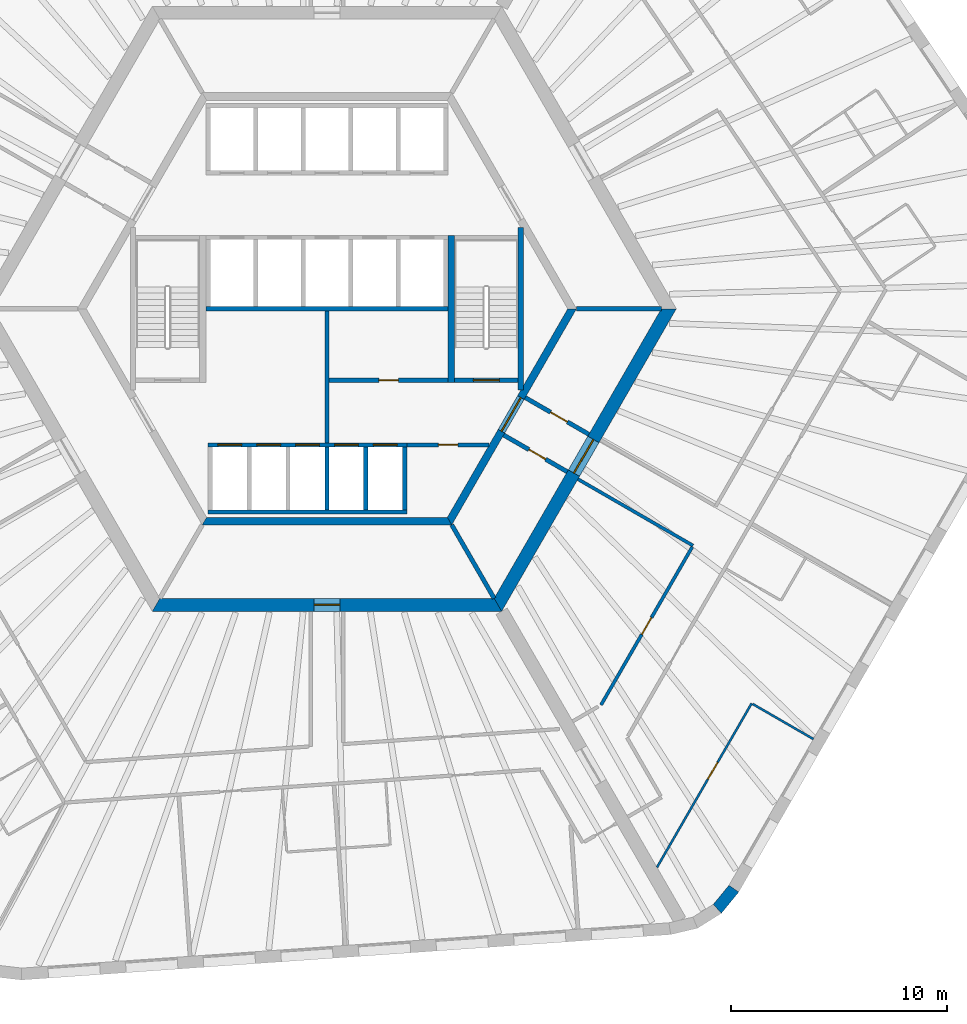
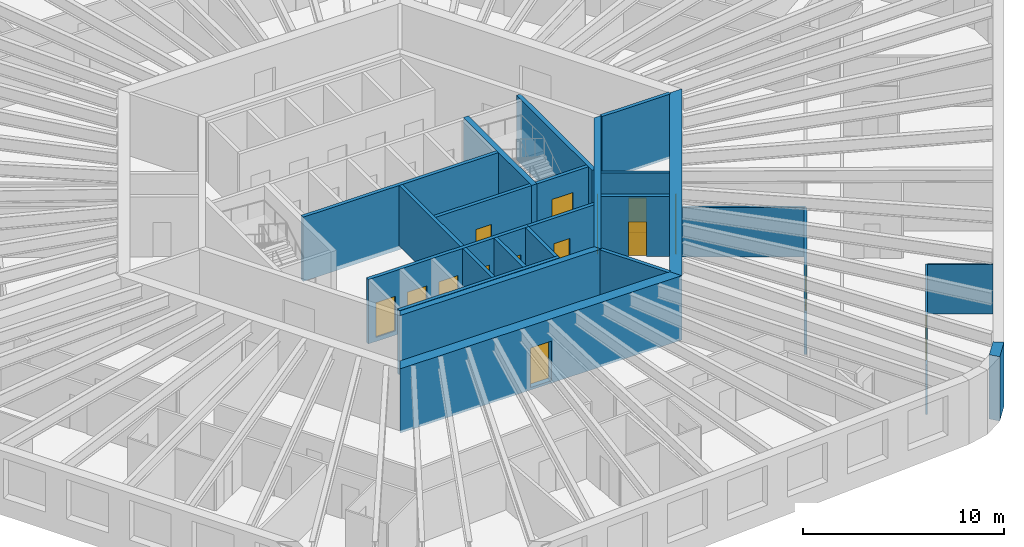
# One storey, part 5 of 12: 25 walls, 15 doors, 15 openings.
"""IFC4 building model written with IfcOpenShell, lengths in metres."""

import ifcopenshell
import ifcopenshell.guid

model = None  # the IFC model being written
_history = None  # IfcOwnerHistory: only IFC2X3 demands one
_inside = {}  # id of a spatial element -> (the spatial element, [elements in it])
_under = {}  # id of a project, library or spatial element -> (it, [spatial elements below it])
_declared = {}  # id of a project -> (the project, [libraries it declares])
_typed = {}  # id of a type object -> (the type object, [elements of that type])
_made_of = {}  # id of a material, layer set ... -> (it, [elements and type objects made of it])


def new_model(schema):
    """Start an empty IFC model of exactly this schema.

    Asked for "IFC4X3", IfcOpenShell would pick the latest addendum, in which some entities
    have other attributes; the version numbers below select the first issue.
    IFC2X3 requires an IfcOwnerHistory on every rooted entity: one is made here for all.
    """
    global model, _history
    if schema == "IFC4X3":
        model = ifcopenshell.file(schema_version=(4, 3, 0, 0))
    else:
        model = ifcopenshell.file(schema=schema)
    _inside.clear()
    _under.clear()
    _declared.clear()
    _typed.clear()
    _made_of.clear()
    _history = None
    if model.schema == "IFC2X3":
        org = make("IfcOrganization", Name="unknown")
        user = make(
            "IfcPersonAndOrganization",
            ThePerson=make("IfcPerson", FamilyName="unknown"),
            TheOrganization=org,
        )
        app = make(
            "IfcApplication",
            ApplicationDeveloper=org,
            Version="unknown",
            ApplicationFullName="unknown",
            ApplicationIdentifier="unknown",
        )
        _history = make(
            "IfcOwnerHistory",
            OwningUser=user,
            OwningApplication=app,
            ChangeAction="ADDED",
            CreationDate=0,
        )
    return model


def make(cls, **values):
    """One entity of the class cls with the attributes given. An attribute that is None is left unset."""
    return model.create_entity(
        cls, **{name: value for name, value in values.items() if value is not None}
    )


def rooted(cls, **values):
    """An entity with a GlobalId (a new one), such as an element, a storey or a relation."""
    return make(cls, GlobalId=ifcopenshell.guid.new(), OwnerHistory=_history, **values)


def si_unit(unit_type, name, prefix=None):
    """IfcSIUnit, for example si_unit("LENGTHUNIT", "METRE", prefix="MILLI")."""
    return make("IfcSIUnit", UnitType=unit_type, Prefix=prefix, Name=name)


def assignment(units):
    """IfcUnitAssignment: the units of a project."""
    return None if units is None else make("IfcUnitAssignment", Units=units)


def point(xyz):
    """IfcCartesianPoint."""
    return None if xyz is None else make("IfcCartesianPoint", Coordinates=xyz)


def direction(xyz):
    """IfcDirection."""
    return None if xyz is None else make("IfcDirection", DirectionRatios=xyz)


def frame(location, z_axis=None, x_axis=None):
    """IfcAxis2Placement3D, a coordinate frame: its origin and axes. An axis left out is left unset."""
    return make(
        "IfcAxis2Placement3D",
        Location=point(location),
        Axis=direction(z_axis),
        RefDirection=direction(x_axis),
    )


def frame_2d(location, x_axis=None):
    """IfcAxis2Placement2D, a coordinate frame in the plane: its origin and x axis."""
    return make(
        "IfcAxis2Placement2D", Location=point(location), RefDirection=direction(x_axis)
    )


def origin():
    """The frame at (0, 0, 0) with its axes left unset."""
    return frame((0.0, 0.0, 0.0))


def place(relative_to, where):
    """IfcLocalPlacement: puts the frame where relative to a parent placement (None: the world)."""
    return make(
        "IfcLocalPlacement", PlacementRelTo=relative_to, RelativePlacement=where
    )


def context(
    kind, dimensions, precision=None, world=None, true_north=None, identifier=None
):
    """IfcGeometricRepresentationContext, for example the 3D "Model" context."""
    return make(
        "IfcGeometricRepresentationContext",
        ContextIdentifier=identifier,
        ContextType=kind,
        CoordinateSpaceDimension=dimensions,
        Precision=precision,
        WorldCoordinateSystem=world,
        TrueNorth=true_north,
    )


def subcontext(parent, identifier, kind, view, scale=None):
    """IfcGeometricRepresentationSubContext, for example "Body" below "Model"."""
    return make(
        "IfcGeometricRepresentationSubContext",
        ContextIdentifier=identifier,
        ContextType=kind,
        ParentContext=parent,
        TargetScale=scale,
        TargetView=view,
    )


def project(units=None, contexts=None):
    """IfcProject with its units and contexts."""
    return rooted(
        "IfcProject",
        Name="project",
        RepresentationContexts=contexts,
        UnitsInContext=assignment(units),
    )


def spatial(cls, under=None, at=None, **own):
    """A site, building, storey or space (cls), placed at a placement, below another one or the project."""
    s = rooted(cls, ObjectPlacement=at, **own)
    if under is not None:
        _under.setdefault(under.id(), (under, []))[1].append(s)
    return s


def polyline(points):
    """IfcPolyline through the points."""
    return make("IfcPolyline", Points=[point(p) for p in points])


def profile(cls, at=None, kind="AREA", **sizes):
    """A parametric profile (cls). Its sizes go by their IFC names, for example OverallWidth=200.0."""
    return make(cls, ProfileType=kind, Position=at, **sizes)


def rectangle(**sizes):
    """IfcRectangleProfileDef."""
    return profile("IfcRectangleProfileDef", **sizes)


def outline(outer, holes=None, kind="AREA"):
    """IfcArbitraryClosedProfileDef: a profile drawn as a closed curve; with holes, ...WithVoids."""
    if holes is None:
        return make("IfcArbitraryClosedProfileDef", ProfileType=kind, OuterCurve=outer)
    return make(
        "IfcArbitraryProfileDefWithVoids",
        ProfileType=kind,
        OuterCurve=outer,
        InnerCurves=holes,
    )


def extrude(swept, where, along, depth):
    """IfcExtrudedAreaSolid: the profile swept, set in the frame where, extruded along a direction by depth."""
    return make(
        "IfcExtrudedAreaSolid",
        SweptArea=swept,
        Position=where,
        ExtrudedDirection=direction(along),
        Depth=depth,
    )


def shape(context_of_items, identifier, shape_type, items):
    """IfcShapeRepresentation: the items that make up one representation, for example the "Body"."""
    return make(
        "IfcShapeRepresentation",
        ContextOfItems=context_of_items,
        RepresentationIdentifier=identifier,
        RepresentationType=shape_type,
        Items=items,
    )


def material(Name=None, Category=None):
    """IfcMaterial."""
    return make("IfcMaterial", Name=Name, Category=Category)


def layer(
    of_material, thickness, ventilated=None, Name=None, Category=None, Priority=None
):
    """IfcMaterialLayer: one layer of a wall or slab, of a material (None: an air gap)."""
    return make(
        "IfcMaterialLayer",
        Material=of_material,
        LayerThickness=thickness,
        IsVentilated=ventilated,
        Name=Name,
        Category=Category,
        Priority=Priority,
    )


def layer_set(layers, Name=None):
    """IfcMaterialLayerSet."""
    return make("IfcMaterialLayerSet", MaterialLayers=layers, LayerSetName=Name)


def made_of(thing, what):
    """Note that an element or type object is made of a material, layer set ...; save() writes the relation."""
    if what is not None:
        _made_of.setdefault(what.id(), (what, []))[1].append(thing)
    return thing


def type_object(cls, material=None, **own):
    """A type object (cls), such as IfcWallType, which elements share."""
    return made_of(rooted(cls, **own), material)


def element(
    cls,
    number,
    at=None,
    inside=None,
    cuts=None,
    type_object=None,
    material=None,
    context=None,
    identifier="Body",
    shape_type=None,
    held_by="IfcProductDefinitionShape",
    body=None,
    shapes=None,
    **own,
):
    """One element of the class cls, such as IfcWall. Its Tag is "e" and its number.

    at: its placement. inside: the storey or other place that contains it. cuts: it is an
    opening in that element (IfcRelVoidsElement). A single representation is given by context,
    identifier, shape_type and body (its items); several are given by shapes. held_by: the class
    of the entity that holds the representations. save() writes the other relations.
    """
    e = rooted(cls, Tag="e%d" % number, ObjectPlacement=at, **own)
    if body is not None:
        shapes = [shape(context, identifier, shape_type, body)]
    if shapes is not None:
        e.Representation = make(held_by, Representations=shapes)
    if inside is not None:
        _inside.setdefault(inside.id(), (inside, []))[1].append(e)
    if cuts is not None:
        rooted(
            "IfcRelVoidsElement", RelatingBuildingElement=cuts, RelatedOpeningElement=e
        )
    if type_object is not None:
        _typed.setdefault(type_object.id(), (type_object, []))[1].append(e)
    return made_of(e, material)


def fill(opening, filler):
    """IfcRelFillsElement: the door or window that sits in an opening."""
    return rooted(
        "IfcRelFillsElement",
        RelatingOpeningElement=opening,
        RelatedBuildingElement=filler,
    )


def aggregate(whole, parts):
    """IfcRelAggregates: a whole, such as a stair, and the parts it consists of."""
    return rooted("IfcRelAggregates", RelatingObject=whole, RelatedObjects=parts)


def save(model, path):
    """Write the relations noted so far, then the file.

    IfcRelAggregates (storeys below a building ...), IfcRelContainedInSpatialStructure (elements
    in a storey), IfcRelDefinesByType, IfcRelAssociatesMaterial and IfcRelDeclares: one each for
    every whole, place, type object, material and project.
    """
    for whole, parts in _under.values():
        aggregate(whole, parts)
    for where, things in _inside.values():
        rooted(
            "IfcRelContainedInSpatialStructure",
            RelatedElements=things,
            RelatingStructure=where,
        )
    for kind, things in _typed.values():
        rooted("IfcRelDefinesByType", RelatedObjects=things, RelatingType=kind)
    for what, things in _made_of.values():
        rooted("IfcRelAssociatesMaterial", RelatedObjects=things, RelatingMaterial=what)
    for by, libraries in _declared.values():
        rooted("IfcRelDeclares", RelatingContext=by, RelatedDefinitions=libraries)
    model.write(path)


model = new_model("IFC4")

# Units and contexts
model_context = context("Model", 3, precision=1e-05, world=origin(), true_north=direction((0.0, 1.0)))
body_context = subcontext(model_context, "Body", "Model", "MODEL_VIEW")
ifc_project = project(units=[si_unit("LENGTHUNIT", "METRE"), si_unit("AREAUNIT", "SQUARE_METRE"), si_unit("VOLUMEUNIT", "CUBIC_METRE"), si_unit("PLANEANGLEUNIT", "RADIAN"), si_unit("MASSUNIT", "GRAM", prefix="KILO")], contexts=[model_context])

# Site, building, storey
site_placement = place(None, origin())
site = spatial("IfcSite", under=ifc_project, at=site_placement, CompositionType="ELEMENT")
building_placement = place(site_placement, origin())
building = spatial("IfcBuilding", under=site, at=building_placement, Name="Tarnside Tower", CompositionType="ELEMENT")
storey_placement = place(building_placement, frame((0.0, 0.0, 72.60009765625)))
storey = spatial("IfcBuildingStorey", under=building, at=storey_placement, Name="L15", CompositionType="ELEMENT", Elevation=72.60009765625)

# Wall
ifc_material_1 = material(Name="Concrete C50/60", Category="concrete")
ifc_layer_1 = layer(ifc_material_1, 0.35009765625)
ifc_layer_set_1 = layer_set([ifc_layer_1], Name="Core block wall 350 C50/60")
wall_type_1 = type_object("IfcWallType", Name="Core block wall 350 C50/60", PredefinedType="SHEAR", material=ifc_layer_set_1)
wall_1_placement = place(storey_placement, frame((-5.672607421875, -9.824951171875, -0.150146484375), z_axis=(0.0, 0.0, 1.0), x_axis=(1.0, 0.0, 0.0)))
element("IfcWall", 1, at=wall_1_placement, inside=storey, type_object=wall_type_1, Name="L15 core block wall face 4", PredefinedType="SHEAR", context=body_context, shape_type="SweptSolid", body=[
    extrude(outline(polyline([(-0.10107421875, -0.175048828125), (11.4462890625, -0.175048828125), (11.244140625, 0.175048828125), (0.10107421875, 0.175048828125), (-0.10107421875, -0.175048828125)])), origin(), (0.0, 0.0, 1.0), 3.900146484375),
])

# Wall, opening, door
wall_2_placement = place(storey_placement, frame((5.672607421875, -9.824951171875, -0.150146484375), z_axis=(0.0, 0.0, 1.0), x_axis=(0.499995046907, 0.866028263435, 0.0)))
wall_2 = element("IfcWall", 2, at=wall_2_placement, inside=storey, type_object=wall_type_1, Name="L15 core block wall face 5", PredefinedType="SHEAR", context=body_context, shape_type="SweptSolid", body=[
    extrude(outline(polyline([(-0.10107421875, -0.175048828125), (11.44580078125, -0.175048828125), (11.24365234375, 0.175048828125), (0.10107421875, 0.175048828125), (-0.10107421875, -0.175048828125)])), origin(), (0.0, 0.0, 1.0), 3.900146484375),
])
opening_1_placement = place(wall_2_placement, frame((4.80126953125, 0.0, 0.14990234375)))
opening_1 = element("IfcOpeningElement", 3, at=opening_1_placement, cuts=wall_2, Name="Opening CD-FFL", PredefinedType="OPENING", context=body_context, shape_type="SweptSolid", body=[
    extrude(rectangle(XDim=1.800048828125, YDim=2.39990234375, at=frame_2d((0.89990234375, 1.199951171875))), frame((0.0, 0.18505859375, 0.0), z_axis=(0.0, -1.0, 0.0), x_axis=(1.0, 0.0, 0.0)), (0.0, 0.0, 1.0), 0.3701171875),
])
ifc_material_2 = material(Name="Steel fire door", Category="steel")
door_type_1 = type_object("IfcDoorType", Name="Firefighting lobby double door FD60S 1800x2400", OperationType="NOTDEFINED", PredefinedType="DOOR", material=ifc_material_2)
door_1_placement = place(opening_1_placement, origin())
door_1 = element("IfcDoor", 4, at=door_1_placement, inside=storey, type_object=door_type_1, Name="L15 lobby block door P4", OperationType="DOUBLE_DOOR_SINGLE_SWING", OverallHeight=2.39990234375, OverallWidth=1.800048828125, PredefinedType="DOOR", context=body_context, shape_type="SweptSolid", body=[
    extrude(rectangle(XDim=1.800048828125, YDim=2.39990234375, at=frame_2d((0.89990234375, 1.199951171875))), frame((0.0, 0.02490234375, 0.0), z_axis=(0.0, -1.0, 0.0), x_axis=(1.0, 0.0, 0.0)), (0.0, 0.0, 1.0), 0.050048828125),
])
fill(opening_1, door_1)

ifc_material_3 = material(Name="Concrete C40/50", Category="concrete")
ifc_layer_2 = layer(ifc_material_3, 0.199951171875)
ifc_layer_set_2 = layer_set([ifc_layer_2], Name="Core room partition 200 C40/50")
wall_type_2 = type_object("IfcWallType", Name="Core room partition 200 C40/50", PredefinedType="PARTITIONING", material=ifc_layer_set_2)
wall_3_placement = place(storey_placement, frame((0.10009765625, -3.300048828125, 0.0), z_axis=(0.0, 0.0, 1.0), x_axis=(1.0, 0.0, 0.0)))
wall_3 = element("IfcWall", 5, at=wall_3_placement, inside=storey, type_object=wall_type_2, Name="L15 core partition R3S1", PredefinedType="PARTITIONING", context=body_context, shape_type="SweptSolid", body=[
    extrude(rectangle(XDim=5.5, YDim=0.199951171875, at=frame_2d((2.75, 0.0))), origin(), (0.0, 0.0, 1.0), 3.64990234375),
])
opening_2_placement = place(wall_3_placement, frame((2.300048828125, 0.0, 0.0)))
opening_2 = element("IfcOpeningElement", 6, at=opening_2_placement, cuts=wall_3, Name="Opening CD-room", PredefinedType="OPENING", context=body_context, shape_type="SweptSolid", body=[
    extrude(rectangle(XDim=0.89990234375, YDim=2.10009765625, at=frame_2d((0.449951171875, 1.050048828125))), frame((0.0, 0.10986328125, 0.0), z_axis=(0.0, -1.0, 0.0), x_axis=(1.0, 0.0, 0.0)), (0.0, 0.0, 1.0), 0.219970703125),
])
door_type_2 = type_object("IfcDoorType", Name="Room door FD60 900x2100", OperationType="NOTDEFINED", PredefinedType="DOOR", material=ifc_material_2)
door_2_placement = place(opening_2_placement, origin())
door_2 = element("IfcDoor", 7, at=door_2_placement, inside=storey, type_object=door_type_2, Name="L15 core room door SR1", OperationType="SINGLE_SWING_LEFT", OverallHeight=2.10009765625, OverallWidth=0.89990234375, PredefinedType="DOOR", context=body_context, shape_type="SweptSolid", body=[
    extrude(rectangle(XDim=0.89990234375, YDim=2.10009765625, at=frame_2d((0.449951171875, 1.050048828125))), frame((0.0, 0.02490234375, 0.0), z_axis=(0.0, -1.0, 0.0), x_axis=(1.0, 0.0, 0.0)), (0.0, 0.0, 1.0), 0.050048828125),
])
fill(opening_2, door_2)

# Wall
wall_4_placement = place(storey_placement, frame((0.0, -6.199951171875, 0.0), z_axis=(0.0, 0.0, 1.0), x_axis=(0.0, 1.0, 0.0)))
element("IfcWall", 8, at=wall_4_placement, inside=storey, type_object=wall_type_2, Name="L15 core partition X0", PredefinedType="PARTITIONING", context=body_context, shape_type="SweptSolid", body=[
    extrude(rectangle(XDim=6.099853515625, YDim=0.199951171875, at=frame_2d((3.0498046875, 0.0))), origin(), (0.0, 0.0, 1.0), 3.64990234375),
])

# Wall, opening, door
wall_5_placement = place(storey_placement, frame((3.699951171875, -6.300048828125, 0.0), z_axis=(0.0, 0.0, 1.0), x_axis=(1.0, 0.0, 0.0)))
wall_5 = element("IfcWall", 9, at=wall_5_placement, inside=storey, type_object=wall_type_2, Name="L15 core partition R4X", PredefinedType="PARTITIONING", context=body_context, shape_type="SweptSolid", body=[
    extrude(rectangle(XDim=3.8056640625, YDim=0.199951171875, at=frame_2d((1.90283203125, 0.0))), origin(), (0.0, 0.0, 1.0), 3.64990234375),
])
opening_3_placement = place(wall_5_placement, frame((1.452880859375, 0.0, 0.0)))
opening_3 = element("IfcOpeningElement", 10, at=opening_3_placement, cuts=wall_5, Name="Opening CD-room", PredefinedType="OPENING", context=body_context, shape_type="SweptSolid", body=[
    extrude(rectangle(XDim=0.89990234375, YDim=2.10009765625, at=frame_2d((0.449951171875, 1.050048828125))), frame((0.0, 0.10986328125, 0.0), z_axis=(0.0, -1.0, 0.0), x_axis=(1.0, 0.0, 0.0)), (0.0, 0.0, 1.0), 0.219970703125),
])
door_3_placement = place(opening_3_placement, origin())
door_3 = element("IfcDoor", 11, at=door_3_placement, inside=storey, type_object=door_type_2, Name="L15 core room door RX", OperationType="SINGLE_SWING_LEFT", OverallHeight=2.10009765625, OverallWidth=0.89990234375, PredefinedType="DOOR", context=body_context, shape_type="SweptSolid", body=[
    extrude(rectangle(XDim=0.89990234375, YDim=2.10009765625, at=frame_2d((0.449951171875, 1.050048828125))), frame((0.0, 0.02490234375, 0.0), z_axis=(0.0, -1.0, 0.0), x_axis=(1.0, 0.0, 0.0)), (0.0, 0.0, 1.0), 0.050048828125),
])
fill(opening_3, door_3)

wall_6_placement = place(storey_placement, frame((9.1748046875, -4.10888671875, 0.0), z_axis=(0.0, 0.0, 1.0), x_axis=(0.865989465428, -0.500062241894, 0.0)))
wall_6 = element("IfcWall", 12, at=wall_6_placement, inside=storey, type_object=wall_type_2, Name="L15 core partition AC4L", PredefinedType="PARTITIONING", context=body_context, shape_type="SweptSolid", body=[
    extrude(rectangle(XDim=3.39990234375, YDim=0.199951171875, at=frame_2d((1.699951171875, 0.0))), origin(), (0.0, 0.0, 1.0), 3.64990234375),
])
opening_4_placement = place(wall_6_placement, frame((1.3505859375, 0.0, 0.0)))
opening_4 = element("IfcOpeningElement", 13, at=opening_4_placement, cuts=wall_6, Name="Opening CD-room", PredefinedType="OPENING", context=body_context, shape_type="SweptSolid", body=[
    extrude(rectangle(XDim=0.89990234375, YDim=2.10009765625, at=frame_2d((0.449951171875, 1.050048828125))), frame((0.0, 0.10986328125, 0.0), z_axis=(0.0, -1.0, 0.0), x_axis=(1.0, 0.0, 0.0)), (0.0, 0.0, 1.0), 0.219970703125),
])
door_4_placement = place(opening_4_placement, origin())
door_4 = element("IfcDoor", 14, at=door_4_placement, inside=storey, type_object=door_type_2, Name="L15 core room door AX4L", OperationType="SINGLE_SWING_LEFT", OverallHeight=2.10009765625, OverallWidth=0.89990234375, PredefinedType="DOOR", context=body_context, shape_type="SweptSolid", body=[
    extrude(rectangle(XDim=0.89990234375, YDim=2.10009765625, at=frame_2d((0.449951171875, 1.050048828125))), frame((0.0, 0.02490234375, 0.0), z_axis=(0.0, -1.0, 0.0), x_axis=(1.0, 0.0, 0.0)), (0.0, 0.0, 1.0), 0.050048828125),
])
fill(opening_4, door_4)

wall_7_placement = place(storey_placement, frame((8.1748046875, -5.841064453125, 0.0), z_axis=(0.0, 0.0, 1.0), x_axis=(0.866020560687, -0.500008388397, 0.0)))
wall_7 = element("IfcWall", 15, at=wall_7_placement, inside=storey, type_object=wall_type_2, Name="L15 core partition AC4R", PredefinedType="PARTITIONING", context=body_context, shape_type="SweptSolid", body=[
    extrude(rectangle(XDim=3.39990234375, YDim=0.199951171875, at=frame_2d((1.699951171875, 0.0))), origin(), (0.0, 0.0, 1.0), 3.64990234375),
])
opening_5_placement = place(wall_7_placement, frame((1.349609375, 0.0, 0.0)))
opening_5 = element("IfcOpeningElement", 16, at=opening_5_placement, cuts=wall_7, Name="Opening CD-room", PredefinedType="OPENING", context=body_context, shape_type="SweptSolid", body=[
    extrude(rectangle(XDim=0.89990234375, YDim=2.10009765625, at=frame_2d((0.449951171875, 1.050048828125))), frame((0.0, 0.10986328125, 0.0), z_axis=(0.0, -1.0, 0.0), x_axis=(1.0, 0.0, 0.0)), (0.0, 0.0, 1.0), 0.219970703125),
])
door_5_placement = place(opening_5_placement, origin())
door_5 = element("IfcDoor", 17, at=door_5_placement, inside=storey, type_object=door_type_2, Name="L15 core room door AX4R", OperationType="SINGLE_SWING_LEFT", OverallHeight=2.10009765625, OverallWidth=0.89990234375, PredefinedType="DOOR", context=body_context, shape_type="SweptSolid", body=[
    extrude(rectangle(XDim=0.89990234375, YDim=2.10009765625, at=frame_2d((0.449951171875, 1.050048828125))), frame((0.0, 0.02490234375, 0.0), z_axis=(0.0, -1.0, 0.0), x_axis=(1.0, 0.0, 0.0)), (0.0, 0.0, 1.0), 0.050048828125),
])
fill(opening_5, door_5)

ifc_material_4 = material(Name="Concrete C80/95", Category="concrete")
ifc_layer_3 = layer(ifc_material_4, 0.60009765625)
ifc_layer_set_3 = layer_set([ifc_layer_3], Name="Core wall Z1 600 C80/95")
wall_type_3 = type_object("IfcWallType", Name="Core wall Z1 600 C80/95", PredefinedType="SHEAR", material=ifc_layer_set_3)
wall_8_placement = place(storey_placement, frame((-7.90966796875, -13.699951171875, -0.150146484375), z_axis=(0.0, 0.0, 1.0), x_axis=(1.0, 0.0, 0.0)))
wall_8 = element("IfcWall", 18, at=wall_8_placement, inside=storey, type_object=wall_type_3, Name="L15 core wall face 4", PredefinedType="SHEAR", context=body_context, shape_type="SweptSolid", body=[
    extrude(outline(polyline([(-0.17333984375, -0.300048828125), (15.99267578125, -0.300048828125), (15.64599609375, 0.300048828125), (0.17333984375, 0.300048828125), (-0.17333984375, -0.300048828125)])), origin(), (0.0, 0.0, 1.0), 3.900146484375),
])
opening_6_placement = place(wall_8_placement, frame((7.309814453125, 0.0, 0.14990234375)))
opening_6 = element("IfcOpeningElement", 19, at=opening_6_placement, cuts=wall_8, Name="Opening CD-RSR", PredefinedType="OPENING", context=body_context, shape_type="SweptSolid", body=[
    extrude(rectangle(XDim=1.199951171875, YDim=2.39990234375, at=frame_2d((0.60009765625, 1.199951171875))), frame((0.0, 0.31005859375, 0.0), z_axis=(0.0, -1.0, 0.0), x_axis=(1.0, 0.0, 0.0)), (0.0, 0.0, 1.0), 0.6201171875),
])
door_type_3 = type_object("IfcDoorType", Name="Riser door FD60 1200x2400", OperationType="NOTDEFINED", PredefinedType="DOOR", material=ifc_material_2)
door_6_placement = place(opening_6_placement, origin())
door_6 = element("IfcDoor", 20, at=door_6_placement, inside=storey, type_object=door_type_3, Name="L15 core door S6", OperationType="SINGLE_SWING_LEFT", OverallHeight=2.39990234375, OverallWidth=1.199951171875, PredefinedType="DOOR", context=body_context, shape_type="SweptSolid", body=[
    extrude(rectangle(XDim=1.199951171875, YDim=2.39990234375, at=frame_2d((0.60009765625, 1.199951171875))), frame((0.0, 0.02490234375, 0.0), z_axis=(0.0, -1.0, 0.0), x_axis=(1.0, 0.0, 0.0)), (0.0, 0.0, 1.0), 0.050048828125),
])
fill(opening_6, door_6)

wall_9_placement = place(storey_placement, frame((7.90966796875, -13.699951171875, -0.150146484375), z_axis=(0.0, 0.0, 1.0), x_axis=(0.499999880136, 0.866025472988, 0.0)))
wall_9 = element("IfcWall", 21, at=wall_9_placement, inside=storey, type_object=wall_type_3, Name="L15 core wall face 5", PredefinedType="SHEAR", context=body_context, shape_type="SweptSolid", body=[
    extrude(outline(polyline([(-0.17333984375, -0.300048828125), (15.99267578125, -0.300048828125), (15.64599609375, 0.300048828125), (0.17333984375, 0.300048828125), (-0.17333984375, -0.300048828125)])), origin(), (0.0, 0.0, 1.0), 3.900146484375),
])
opening_7_placement = place(wall_9_placement, frame((7.03857421875, 0.0, 0.14990234375)))
opening_7 = element("IfcOpeningElement", 22, at=opening_7_placement, cuts=wall_9, Name="Opening CD-FFL", PredefinedType="OPENING", context=body_context, shape_type="SweptSolid", body=[
    extrude(rectangle(XDim=1.800048828125, YDim=2.39990234375, at=frame_2d((0.89990234375, 1.199951171875))), frame((0.0, 0.31005859375, 0.0), z_axis=(0.0, -1.0, 0.0), x_axis=(1.0, 0.0, 0.0)), (0.0, 0.0, 1.0), 0.6201171875),
])
door_7_placement = place(opening_7_placement, origin())
door_7 = element("IfcDoor", 23, at=door_7_placement, inside=storey, type_object=door_type_1, Name="L15 core door P4", OperationType="DOUBLE_DOOR_SINGLE_SWING", OverallHeight=2.39990234375, OverallWidth=1.800048828125, PredefinedType="DOOR", context=body_context, shape_type="SweptSolid", body=[
    extrude(rectangle(XDim=1.800048828125, YDim=2.39990234375, at=frame_2d((0.89990234375, 1.199951171875))), frame((0.0, 0.02490234375, 0.0), z_axis=(0.0, -1.0, 0.0), x_axis=(1.0, 0.0, 0.0)), (0.0, 0.0, 1.0), 0.050048828125),
])
fill(opening_7, door_7)

# Wall
ifc_material_5 = material(Name="Gypsum board partition on steel studs", Category="steel")
ifc_layer_4 = layer(ifc_material_5, 0.14990234375)
ifc_layer_set_4 = layer_set([ifc_layer_4], Name="Corridor wall 150 EI 60")
wall_type_4 = type_object("IfcWallType", Name="Corridor wall 150 EI 60", PredefinedType="PARTITIONING", material=ifc_layer_set_4)
wall_10_placement = place(storey_placement, frame((11.61376953125, -7.88427734375, 0.0), z_axis=(0.0, 0.0, 1.0), x_axis=(0.866033542371, -0.499985903289, 0.0)))
element("IfcWall", 24, at=wall_10_placement, inside=storey, type_object=wall_type_4, Name="Corridor wall 04071", PredefinedType="PARTITIONING", context=body_context, shape_type="SweptSolid", body=[
    extrude(rectangle(XDim=6.150146484375, YDim=0.14990234375, at=frame_2d((3.0751953125, 0.0))), origin(), (0.0, 0.0, 1.0), 2.98779296875),
])

# Wall, opening, door
wall_11_placement = place(storey_placement, frame((16.90234375, -11.024169921875, 0.0), z_axis=(0.0, 0.0, 1.0), x_axis=(-0.499999527968, -0.866025676312, 0.0)))
wall_11 = element("IfcWall", 25, at=wall_11_placement, inside=storey, type_object=wall_type_4, Name="Corridor wall 04072", PredefinedType="PARTITIONING", context=body_context, shape_type="SweptSolid", body=[
    extrude(rectangle(XDim=8.44091796875, YDim=0.14990234375, at=frame_2d((4.220458984375, 0.0))), origin(), (0.0, 0.0, 1.0), 2.98779296875),
])
opening_8_placement = place(wall_11_placement, frame((3.7705078125, 0.0, 0.0)))
opening_8 = element("IfcOpeningElement", 26, at=opening_8_placement, cuts=wall_11, Name="Opening D-S1", PredefinedType="OPENING", context=body_context, shape_type="SweptSolid", body=[
    extrude(rectangle(XDim=0.89990234375, YDim=2.10009765625, at=frame_2d((0.449951171875, 1.050048828125))), frame((0.0, 0.0849609375, 0.0), z_axis=(0.0, -1.0, 0.0), x_axis=(1.0, 0.0, 0.0)), (0.0, 0.0, 1.0), 0.169921875),
])
ifc_material_6 = material(Name="Timber door leaf", Category="wood")
door_type_4 = type_object("IfcDoorType", Name="Service room door 900 FD30S", OperationType="NOTDEFINED", PredefinedType="DOOR", material=ifc_material_6)
door_8_placement = place(opening_8_placement, origin())
door_8 = element("IfcDoor", 27, at=door_8_placement, inside=storey, type_object=door_type_4, Name="Service door 04048", OperationType="SINGLE_SWING_RIGHT", OverallHeight=2.10009765625, OverallWidth=0.89990234375, PredefinedType="DOOR", context=body_context, shape_type="SweptSolid", body=[
    extrude(rectangle(XDim=0.89990234375, YDim=2.10009765625, at=frame_2d((0.449951171875, 1.050048828125))), frame((0.0, 0.02490234375, 0.0), z_axis=(0.0, -1.0, 0.0), x_axis=(1.0, 0.0, 0.0)), (0.0, 0.0, 1.0), 0.050048828125),
])
fill(opening_8, door_8)

# Wall
ifc_layer_5 = layer(ifc_material_3, 0.199951171875)
ifc_layer_set_5 = layer_set([ifc_layer_5], Name="Lift shaft wall 200 C40/50")
wall_type_5 = type_object("IfcWallType", Name="Lift shaft wall 200 C40/50", PredefinedType="SHEAR", material=ifc_layer_set_5)
wall_12_placement = place(storey_placement, frame((-5.60009765625, 0.0, -0.25), z_axis=(0.0, 0.0, 1.0), x_axis=(1.0, 0.0, 0.0)))
element("IfcWall", 28, at=wall_12_placement, inside=storey, type_object=wall_type_5, Name="L15 lift shaft back wall R2", PredefinedType="SHEAR", context=body_context, shape_type="SweptSolid", body=[
    extrude(rectangle(XDim=11.2001953125, YDim=0.199951171875, at=frame_2d((5.60009765625, 0.0))), origin(), (0.0, 0.0, 1.0), 3.89990234375),
])

# Wall, openings, doors
wall_13_placement = place(storey_placement, frame((-5.5, -6.300048828125, -0.25), z_axis=(0.0, 0.0, 1.0), x_axis=(1.0, 0.0, 0.0)))
wall_13 = element("IfcWall", 29, at=wall_13_placement, inside=storey, type_object=wall_type_5, Name="L15 lift shaft front wall R4", PredefinedType="SHEAR", context=body_context, shape_type="SweptSolid", body=[
    extrude(rectangle(XDim=9.199951171875, YDim=0.199951171875, at=frame_2d((4.60009765625, 0.0))), origin(), (0.0, 0.0, 1.0), 3.89990234375),
])
opening_9_placement = place(wall_13_placement, frame((0.449951171875, 0.0, 0.25)))
opening_9 = element("IfcOpeningElement", 30, at=opening_9_placement, cuts=wall_13, Name="Opening LDF", PredefinedType="OPENING", context=body_context, shape_type="SweptSolid", body=[
    extrude(rectangle(XDim=1.10009765625, YDim=2.10009765625, at=frame_2d((0.550048828125, 1.050048828125))), frame((0.0, 0.10986328125, 0.0), z_axis=(0.0, -1.0, 0.0), x_axis=(1.0, 0.0, 0.0)), (0.0, 0.0, 1.0), 0.219970703125),
])
opening_10_placement = place(wall_13_placement, frame((2.25, 0.0, 0.25)))
opening_10 = element("IfcOpeningElement", 31, at=opening_10_placement, cuts=wall_13, Name="Opening LDF", PredefinedType="OPENING", context=body_context, shape_type="SweptSolid", body=[
    extrude(rectangle(XDim=1.10009765625, YDim=2.10009765625, at=frame_2d((0.550048828125, 1.050048828125))), frame((0.0, 0.10986328125, 0.0), z_axis=(0.0, -1.0, 0.0), x_axis=(1.0, 0.0, 0.0)), (0.0, 0.0, 1.0), 0.219970703125),
])
opening_11_placement = place(wall_13_placement, frame((4.050048828125, 0.0, 0.25)))
opening_11 = element("IfcOpeningElement", 32, at=opening_11_placement, cuts=wall_13, Name="Opening LDF", PredefinedType="OPENING", context=body_context, shape_type="SweptSolid", body=[
    extrude(rectangle(XDim=1.10009765625, YDim=2.10009765625, at=frame_2d((0.550048828125, 1.050048828125))), frame((0.0, 0.10986328125, 0.0), z_axis=(0.0, -1.0, 0.0), x_axis=(1.0, 0.0, 0.0)), (0.0, 0.0, 1.0), 0.219970703125),
])
opening_12_placement = place(wall_13_placement, frame((5.85009765625, 0.0, 0.25)))
opening_12 = element("IfcOpeningElement", 33, at=opening_12_placement, cuts=wall_13, Name="Opening LDF", PredefinedType="OPENING", context=body_context, shape_type="SweptSolid", body=[
    extrude(rectangle(XDim=1.10009765625, YDim=2.10009765625, at=frame_2d((0.550048828125, 1.050048828125))), frame((0.0, 0.10986328125, 0.0), z_axis=(0.0, -1.0, 0.0), x_axis=(1.0, 0.0, 0.0)), (0.0, 0.0, 1.0), 0.219970703125),
])
opening_13_placement = place(wall_13_placement, frame((7.64990234375, 0.0, 0.25)))
opening_13 = element("IfcOpeningElement", 34, at=opening_13_placement, cuts=wall_13, Name="Opening LDF", PredefinedType="OPENING", context=body_context, shape_type="SweptSolid", body=[
    extrude(rectangle(XDim=1.10009765625, YDim=2.10009765625, at=frame_2d((0.550048828125, 1.050048828125))), frame((0.0, 0.10986328125, 0.0), z_axis=(0.0, -1.0, 0.0), x_axis=(1.0, 0.0, 0.0)), (0.0, 0.0, 1.0), 0.219970703125),
])
ifc_material_7 = material(Name="Stainless steel", Category="steel")
door_type_5 = type_object("IfcDoorType", Name="Lift landing door 1100x2100 EI 120", OperationType="NOTDEFINED", PredefinedType="DOOR", material=ifc_material_7)
door_9_placement = place(opening_9_placement, origin())
door_9 = element("IfcDoor", 35, at=door_9_placement, inside=storey, type_object=door_type_5, Name="Firefighting lift 1 landing door L15", OperationType="SLIDING_TO_LEFT", OverallHeight=2.10009765625, OverallWidth=1.10009765625, PredefinedType="DOOR", context=body_context, shape_type="SweptSolid", body=[
    extrude(rectangle(XDim=1.10009765625, YDim=2.10009765625, at=frame_2d((0.550048828125, 1.050048828125))), frame((0.0, 0.02490234375, 0.0), z_axis=(0.0, -1.0, 0.0), x_axis=(1.0, 0.0, 0.0)), (0.0, 0.0, 1.0), 0.050048828125),
])
fill(opening_9, door_9)
door_10_placement = place(opening_10_placement, origin())
door_10 = element("IfcDoor", 36, at=door_10_placement, inside=storey, type_object=door_type_5, Name="Firefighting lift 2 landing door L15", OperationType="SLIDING_TO_LEFT", OverallHeight=2.10009765625, OverallWidth=1.10009765625, PredefinedType="DOOR", context=body_context, shape_type="SweptSolid", body=[
    extrude(rectangle(XDim=1.10009765625, YDim=2.10009765625, at=frame_2d((0.550048828125, 1.050048828125))), frame((0.0, 0.02490234375, 0.0), z_axis=(0.0, -1.0, 0.0), x_axis=(1.0, 0.0, 0.0)), (0.0, 0.0, 1.0), 0.050048828125),
])
fill(opening_10, door_10)
door_11_placement = place(opening_11_placement, origin())
door_11 = element("IfcDoor", 37, at=door_11_placement, inside=storey, type_object=door_type_5, Name="Firefighting lift 3 landing door L15", OperationType="SLIDING_TO_LEFT", OverallHeight=2.10009765625, OverallWidth=1.10009765625, PredefinedType="DOOR", context=body_context, shape_type="SweptSolid", body=[
    extrude(rectangle(XDim=1.10009765625, YDim=2.10009765625, at=frame_2d((0.550048828125, 1.050048828125))), frame((0.0, 0.02490234375, 0.0), z_axis=(0.0, -1.0, 0.0), x_axis=(1.0, 0.0, 0.0)), (0.0, 0.0, 1.0), 0.050048828125),
])
fill(opening_11, door_11)
door_12_placement = place(opening_12_placement, origin())
door_12 = element("IfcDoor", 38, at=door_12_placement, inside=storey, type_object=door_type_5, Name="Firefighting lift 4 landing door L15", OperationType="SLIDING_TO_LEFT", OverallHeight=2.10009765625, OverallWidth=1.10009765625, PredefinedType="DOOR", context=body_context, shape_type="SweptSolid", body=[
    extrude(rectangle(XDim=1.10009765625, YDim=2.10009765625, at=frame_2d((0.550048828125, 1.050048828125))), frame((0.0, 0.02490234375, 0.0), z_axis=(0.0, -1.0, 0.0), x_axis=(1.0, 0.0, 0.0)), (0.0, 0.0, 1.0), 0.050048828125),
])
fill(opening_12, door_12)
door_13_placement = place(opening_13_placement, origin())
door_13 = element("IfcDoor", 39, at=door_13_placement, inside=storey, type_object=door_type_5, Name="Firefighting lift 5 landing door L15", OperationType="SLIDING_TO_LEFT", OverallHeight=2.10009765625, OverallWidth=1.10009765625, PredefinedType="DOOR", context=body_context, shape_type="SweptSolid", body=[
    extrude(rectangle(XDim=1.10009765625, YDim=2.10009765625, at=frame_2d((0.550048828125, 1.050048828125))), frame((0.0, 0.02490234375, 0.0), z_axis=(0.0, -1.0, 0.0), x_axis=(1.0, 0.0, 0.0)), (0.0, 0.0, 1.0), 0.050048828125),
])
fill(opening_13, door_13)

# Walls
wall_14_placement = place(storey_placement, frame((-5.5, -9.39990234375, -0.25), z_axis=(0.0, 0.0, 1.0), x_axis=(1.0, 0.0, 0.0)))
element("IfcWall", 40, at=wall_14_placement, inside=storey, type_object=wall_type_5, Name="L15 lift shaft back wall R4", PredefinedType="SHEAR", context=body_context, shape_type="SweptSolid", body=[
    extrude(rectangle(XDim=9.199951171875, YDim=0.199951171875, at=frame_2d((4.60009765625, 0.0))), origin(), (0.0, 0.0, 1.0), 3.89990234375),
])
for number, where, z_axis, x_axis, name in (
    (41, (0.0, -9.300048828125, -0.25), (0.0, 0.0, 1.0), (0.0, 1.0, 0.0), "L15 lift shaft partition R44"),
    (42, (1.800048828125, -9.300048828125, -0.25), (0.0, 0.0, 1.0), (0.0, 1.0, 0.0), "L15 lift shaft partition R45"),
    (43, (3.60009765625, -9.300048828125, -0.25), (0.0, 0.0, 1.0), (0.0, 1.0, 0.0), "L15 lift shaft partition R46"),
):
    element("IfcWall", number, at=place(storey_placement, frame(where, z_axis=z_axis, x_axis=x_axis)), inside=storey, type_object=wall_type_5, Name=name, PredefinedType="SHEAR", context=body_context, shape_type="SweptSolid", body=[
        extrude(rectangle(XDim=2.900146484375, YDim=0.199951171875, at=frame_2d((1.4501953125, 0.0))), origin(), (0.0, 0.0, 1.0), 3.89990234375),
    ])
wall_15_placement = place(storey_placement, frame((11.547119140625, 0.0, -0.150146484375), z_axis=(0.0, 0.0, 1.0), x_axis=(1.0, 0.0, 0.0)))
element("IfcWall", 44, at=wall_15_placement, inside=storey, type_object=wall_type_5, Name="L15 core partition AR0", PredefinedType="SHEAR", context=body_context, shape_type="SweptSolid", body=[
    extrude(rectangle(XDim=3.92578125, YDim=0.199951171875, at=frame_2d((1.962890625, 0.0))), origin(), (0.0, 0.0, 1.0), 3.900146484375),
])
wall_16_placement = place(storey_placement, frame((5.7734375, -10.0, -0.150146484375), z_axis=(0.0, 0.0, 1.0), x_axis=(0.500038251005, -0.86600331843, 0.0)))
element("IfcWall", 45, at=wall_16_placement, inside=storey, type_object=wall_type_5, Name="L15 core partition AR300", PredefinedType="SHEAR", context=body_context, shape_type="SweptSolid", body=[
    extrude(rectangle(XDim=3.926025390625, YDim=0.199951171875, at=frame_2d((1.962890625, 0.0))), origin(), (0.0, 0.0, 1.0), 3.900146484375),
])

# Wall, opening, door
wall_17_placement = place(storey_placement, frame((5.89990234375, -3.300048828125, -0.25), z_axis=(0.0, 0.0, 1.0), x_axis=(1.0, 0.0, 0.0)))
wall_17 = element("IfcWall", 46, at=wall_17_placement, inside=storey, type_object=wall_type_5, Name="L15 stair 1 enclosure cap wall s", PredefinedType="SHEAR", context=body_context, shape_type="SweptSolid", body=[
    extrude(rectangle(XDim=2.9501953125, YDim=0.199951171875, at=frame_2d((1.47509765625, 0.0))), origin(), (0.0, 0.0, 1.0), 3.89990234375),
])
opening_14_placement = place(wall_17_placement, frame((0.875, 0.0, 0.25)))
opening_14 = element("IfcOpeningElement", 47, at=opening_14_placement, cuts=wall_17, Name="Opening CD-STR", PredefinedType="OPENING", context=body_context, shape_type="SweptSolid", body=[
    extrude(rectangle(XDim=1.199951171875, YDim=2.39990234375, at=frame_2d((0.60009765625, 1.199951171875))), frame((0.0, 0.10986328125, 0.0), z_axis=(0.0, -1.0, 0.0), x_axis=(1.0, 0.0, 0.0)), (0.0, 0.0, 1.0), 0.219970703125),
])
door_type_6 = type_object("IfcDoorType", Name="Stair door FD60S 1200x2400", OperationType="NOTDEFINED", PredefinedType="DOOR", material=ifc_material_2)
door_14_placement = place(opening_14_placement, origin())
door_14 = element("IfcDoor", 48, at=door_14_placement, inside=storey, type_object=door_type_6, Name="L15 stair 1 door", OperationType="SINGLE_SWING_LEFT", OverallHeight=2.39990234375, OverallWidth=1.199951171875, PredefinedType="DOOR", context=body_context, shape_type="SweptSolid", body=[
    extrude(rectangle(XDim=1.199951171875, YDim=2.39990234375, at=frame_2d((0.60009765625, 1.199951171875))), frame((0.0, 0.02490234375, 0.0), z_axis=(0.0, -1.0, 0.0), x_axis=(1.0, 0.0, 0.0)), (0.0, 0.0, 1.0), 0.050048828125),
])
fill(opening_14, door_14)

ifc_layer_6 = layer(ifc_material_5, 0.10009765625)
ifc_layer_set_6 = layer_set([ifc_layer_6], Name="Partition 100")
wall_type_6 = type_object("IfcWallType", Name="Partition 100", PredefinedType="PARTITIONING", material=ifc_layer_set_6)
wall_18_placement = place(storey_placement, frame((15.27099609375, -25.85009765625, 0.0), z_axis=(0.0, 0.0, 1.0), x_axis=(0.499983733712, 0.866034794927, 0.0)))
wall_18 = element("IfcWall", 49, at=wall_18_placement, inside=storey, type_object=wall_type_6, Name="Partition wall 04129", PredefinedType="PARTITIONING", context=body_context, shape_type="SweptSolid", body=[
    extrude(rectangle(XDim=8.762451171875, YDim=0.10009765625, at=frame_2d((4.38134765625, 0.0))), origin(), (0.0, 0.0, 1.0), 2.98779296875),
])
opening_15_placement = place(wall_18_placement, frame((4.71240234375, 0.0, 0.0)))
opening_15 = element("IfcOpeningElement", 50, at=opening_15_placement, cuts=wall_18, Name="Opening D-I1", PredefinedType="OPENING", context=body_context, shape_type="SweptSolid", body=[
    extrude(rectangle(XDim=0.89990234375, YDim=2.10009765625, at=frame_2d((0.449951171875, 1.050048828125))), frame((0.0, 0.06005859375, 0.0), z_axis=(0.0, -1.0, 0.0), x_axis=(1.0, 0.0, 0.0)), (0.0, 0.0, 1.0), 0.1201171875),
])
door_type_7 = type_object("IfcDoorType", Name="Internal door 900", OperationType="NOTDEFINED", PredefinedType="DOOR", material=ifc_material_6)
door_15_placement = place(opening_15_placement, origin())
door_15 = element("IfcDoor", 51, at=door_15_placement, inside=storey, type_object=door_type_7, Name="Internal door 04030", OperationType="SINGLE_SWING_LEFT", OverallHeight=2.10009765625, OverallWidth=0.89990234375, PredefinedType="DOOR", context=body_context, shape_type="SweptSolid", body=[
    extrude(rectangle(XDim=0.89990234375, YDim=2.10009765625, at=frame_2d((0.449951171875, 1.050048828125))), frame((0.0, 0.02490234375, 0.0), z_axis=(0.0, -1.0, 0.0), x_axis=(1.0, 0.0, 0.0)), (0.0, 0.0, 1.0), 0.050048828125),
])
fill(opening_15, door_15)

# Walls
wall_19_placement = place(storey_placement, frame((19.6953125, -18.28662109375, 0.0), z_axis=(0.0, 0.0, 1.0), x_axis=(0.866034226713, -0.499984717929, 0.0)))
element("IfcWall", 52, at=wall_19_placement, inside=storey, type_object=wall_type_6, Name="Partition wall 04130", PredefinedType="PARTITIONING", context=body_context, shape_type="SweptSolid", body=[
    extrude(rectangle(XDim=3.25, YDim=0.10009765625, at=frame_2d((1.625, 0.0))), origin(), (0.0, 0.0, 1.0), 2.98779296875),
])
ifc_layer_7 = layer(ifc_material_3, 0.25)
ifc_layer_set_7 = layer_set([ifc_layer_7], Name="Stair enclosure wall 250 C40/50")
wall_type_7 = type_object("IfcWallType", Name="Stair enclosure wall 250 C40/50", PredefinedType="SHEAR", material=ifc_layer_set_7)
wall_20_placement = place(storey_placement, frame((8.97509765625, -3.7548828125, -0.25), z_axis=(0.0, 0.0, 1.0), x_axis=(0.0, 1.0, 0.0)))
element("IfcWall", 53, at=wall_20_placement, inside=storey, type_object=wall_type_7, Name="L15 stair 1 enclosure wall outer", PredefinedType="SHEAR", context=body_context, shape_type="SweptSolid", body=[
    extrude(rectangle(XDim=7.509765625, YDim=0.25, at=frame_2d((3.7548828125, 0.0))), origin(), (0.0, 0.0, 1.0), 3.89990234375),
])
ifc_layer_8 = layer(ifc_material_3, 0.300048828125)
ifc_layer_set_8 = layer_set([ifc_layer_8], Name="Stair enclosure wall 300 C40/50")
wall_type_8 = type_object("IfcWallType", Name="Stair enclosure wall 300 C40/50", PredefinedType="SHEAR", material=ifc_layer_set_8)
wall_21_placement = place(storey_placement, frame((5.75, -3.39990234375, -0.25), z_axis=(0.0, 0.0, 1.0), x_axis=(0.0, 1.0, 0.0)))
element("IfcWall", 54, at=wall_21_placement, inside=storey, type_object=wall_type_8, Name="L15 stair 1 enclosure wall inner", PredefinedType="SHEAR", context=body_context, shape_type="SweptSolid", body=[
    extrude(rectangle(XDim=6.7998046875, YDim=0.300048828125, at=frame_2d((3.39990234375, 0.0))), origin(), (0.0, 0.0, 1.0), 3.89990234375),
])
ifc_material_8 = material(Name="Facing brick", Category="masonry")
ifc_layer_9 = layer(ifc_material_8, 0.10205078125)
ifc_material_9 = material(Name="Concrete C60/75 precast", Category="concrete")
ifc_layer_10 = layer(ifc_material_9, 0.347900390625)
ifc_material_10 = material(Name="Mineral wool insulation")
ifc_layer_11 = layer(ifc_material_10, 0.10009765625)
ifc_layer_set_9 = layer_set([ifc_layer_9, ifc_layer_10, ifc_layer_11], Name="Tube wall 550 brick faced")
wall_type_9 = type_object("IfcWallType", Name="Tube wall 550 brick faced", PredefinedType="SOLIDWALL", material=ifc_layer_set_9)
wall_22_placement = place(storey_placement, frame((18.064453125, -27.769287109375, -0.150146484375), z_axis=(0.0, 0.0, 1.0), x_axis=(0.633842757806, 0.773461930787, 0.0)))
element("IfcWall", 55, at=wall_22_placement, inside=storey, type_object=wall_type_9, Name="Tube wall L15 F4 chord 15", PredefinedType="SOLIDWALL", context=body_context, shape_type="SweptSolid", body=[
    extrude(outline(polyline([(-0.045166015625, -0.27490234375), (1.230712890625, -0.27490234375), (1.185791015625, 0.27490234375), (0.045166015625, 0.27490234375), (-0.045166015625, -0.27490234375)])), origin(), (0.0, 0.0, 1.0), 3.900146484375),
])

save(model, "model.ifc")
